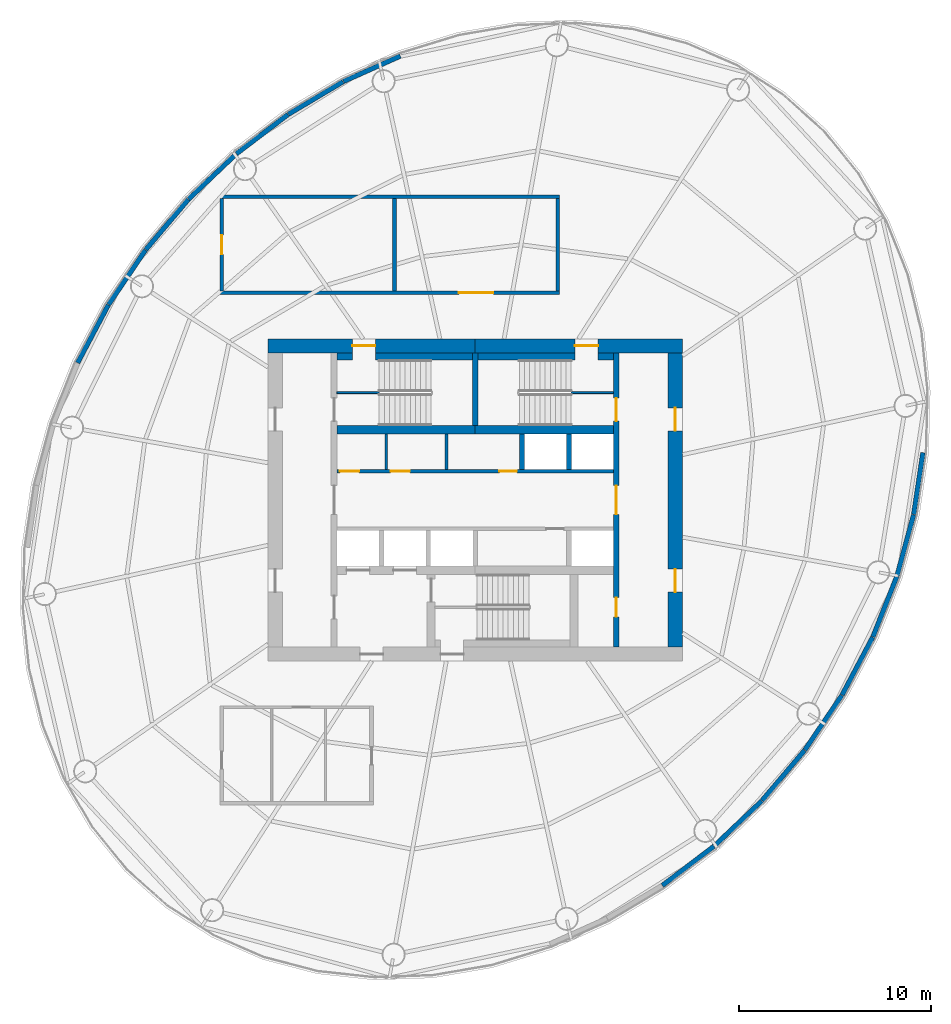
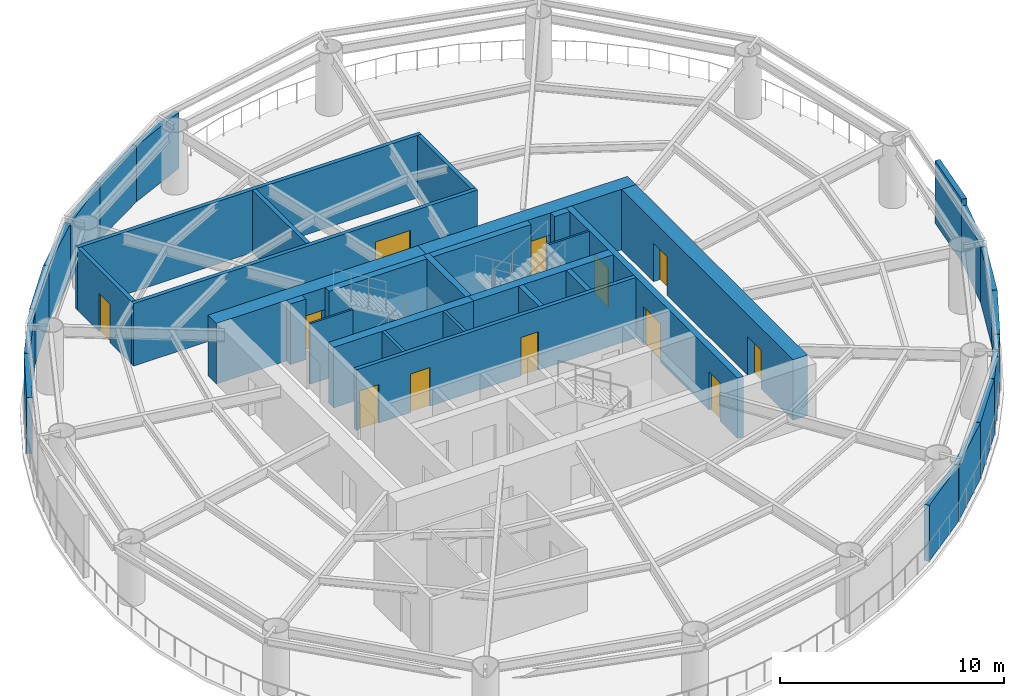
# One storey, part 4 of 8: 38 walls, 12 doors, 12 openings.
"""IFC4 building model written with IfcOpenShell, lengths in metres."""

from ifc_helpers import new_model, si_unit, direction, frame, frame_2d, origin, place, context, subcontext, project, spatial, rectangle, extrude, material, layer, layer_set, type_object, element, fill, save


model = new_model("IFC4")

# Units and contexts
model_context = context("Model", 3, precision=1e-05, world=origin(), true_north=direction((0.0, 1.0)))
body_context = subcontext(model_context, "Body", "Model", "MODEL_VIEW")
ifc_project = project(units=[si_unit("LENGTHUNIT", "METRE"), si_unit("AREAUNIT", "SQUARE_METRE"), si_unit("VOLUMEUNIT", "CUBIC_METRE"), si_unit("PLANEANGLEUNIT", "RADIAN"), si_unit("MASSUNIT", "GRAM", prefix="KILO")], contexts=[model_context])

# Site, building, storey
site_placement = place(None, origin())
site = spatial("IfcSite", under=ifc_project, at=site_placement, CompositionType="ELEMENT")
building_placement = place(site_placement, origin())
building = spatial("IfcBuilding", under=site, at=building_placement, Name="Vermilion Reach Broadcast Tower", CompositionType="ELEMENT")
storey_placement = place(building_placement, frame((0.0, 0.0, 242.5)))
storey = spatial("IfcBuildingStorey", under=building, at=storey_placement, Name="L60", CompositionType="ELEMENT", Elevation=242.5)

# Wall, openings, doors
ifc_material_1 = material(Name="Concrete C60", Category="concrete")
ifc_layer_1 = layer(ifc_material_1, 0.300048828125)
ifc_layer_set_1 = layer_set([ifc_layer_1], Name="Core inner wall 300 mm Concrete C60")
wall_type_1 = type_object("IfcWallType", Name="Core inner wall 300 mm Concrete C60", PredefinedType="SHEAR", material=ifc_layer_set_1)
wall_1_placement = place(storey_placement, frame((1.35009765625, -7.64990234375, 0.0), z_axis=(0.0, 0.0, 1.0), x_axis=(0.0, 1.0, 0.0)))
wall_1 = element("IfcWall", 1, at=wall_1_placement, inside=storey, type_object=wall_type_1, Name="L60 core wall ewE", PredefinedType="SHEAR", context=body_context, shape_type="SweptSolid", body=[
    extrude(rectangle(XDim=15.2998046875, YDim=0.300048828125, at=frame_2d((7.64990234375, 0.0))), origin(), (0.0, 0.0, 1.0), 3.300048828125),
])
opening_1_placement = place(wall_1_placement, frame((11.760009765625, 0.0, 0.0)))
opening_1 = element("IfcOpeningElement", 2, at=opening_1_placement, cuts=wall_1, Name="Opening D01", PredefinedType="OPENING", context=body_context, shape_type="SweptSolid", body=[
    extrude(rectangle(XDim=1.199951171875, YDim=2.10009765625, at=frame_2d((0.60009765625, 1.050048828125))), frame((0.0, 0.159912109375, 0.0), z_axis=(0.0, -1.0, 0.0), x_axis=(1.0, 0.0, 0.0)), (0.0, 0.0, 1.0), 0.320068359375),
])
opening_2_placement = place(wall_1_placement, frame((1.56005859375, 0.0, 0.0)))
opening_2 = element("IfcOpeningElement", 3, at=opening_2_placement, cuts=wall_1, Name="Opening D05", PredefinedType="OPENING", context=body_context, shape_type="SweptSolid", body=[
    extrude(rectangle(XDim=1.0, YDim=2.10009765625, at=frame_2d((0.5, 1.050048828125))), frame((0.0, 0.159912109375, 0.0), z_axis=(0.0, -1.0, 0.0), x_axis=(1.0, 0.0, 0.0)), (0.0, 0.0, 1.0), 0.320068359375),
])
opening_3_placement = place(wall_1_placement, frame((6.89990234375, 0.0, 0.0)))
opening_3 = element("IfcOpeningElement", 4, at=opening_3_placement, cuts=wall_1, Name="Opening D04", PredefinedType="OPENING", context=body_context, shape_type="SweptSolid", body=[
    extrude(rectangle(XDim=1.5, YDim=2.10009765625, at=frame_2d((0.75, 1.050048828125))), frame((0.0, 0.159912109375, 0.0), z_axis=(0.0, -1.0, 0.0), x_axis=(1.0, 0.0, 0.0)), (0.0, 0.0, 1.0), 0.320068359375),
])
ifc_material_2 = material(Name="Painted steel fire door", Category="steel")
door_type_1 = type_object("IfcDoorType", Name="Lift lobby door 1500 x 2100", OperationType="DOUBLE_DOOR_SINGLE_SWING", PredefinedType="NOTDEFINED", material=ifc_material_2)
door_1_placement = place(opening_3_placement, origin())
door_1 = element("IfcDoor", 5, at=door_1_placement, inside=storey, type_object=door_type_1, Name="L60 band door BE", OperationType="DOUBLE_DOOR_SINGLE_SWING", OverallHeight=2.10009765625, OverallWidth=1.5, PredefinedType="NOTDEFINED", context=body_context, shape_type="SweptSolid", body=[
    extrude(rectangle(XDim=1.5, YDim=2.10009765625, at=frame_2d((0.75, 1.050048828125))), frame((0.0, 0.02490234375, 0.0), z_axis=(0.0, -1.0, 0.0), x_axis=(1.0, 0.0, 0.0)), (0.0, 0.0, 1.0), 0.050048828125),
])
fill(opening_3, door_1)
ifc_material_3 = material(Name="Timber door", Category="wood")
door_type_2 = type_object("IfcDoorType", Name="Room door 1000 x 2100", OperationType="NOTDEFINED", PredefinedType="NOTDEFINED", material=ifc_material_3)
door_2_placement = place(opening_2_placement, origin())
door_2 = element("IfcDoor", 6, at=door_2_placement, inside=storey, type_object=door_type_2, Name="L60 door SER", OperationType="SINGLE_SWING_LEFT", OverallHeight=2.10009765625, OverallWidth=1.0, PredefinedType="NOTDEFINED", context=body_context, shape_type="SweptSolid", body=[
    extrude(rectangle(XDim=1.0, YDim=2.10009765625, at=frame_2d((0.5, 1.050048828125))), frame((0.0, 0.02490234375, 0.0), z_axis=(0.0, -1.0, 0.0), x_axis=(1.0, 0.0, 0.0)), (0.0, 0.0, 1.0), 0.050048828125),
])
fill(opening_2, door_2)
ifc_material_4 = material(Name="Painted steel fire door", Category="steel")
door_type_3 = type_object("IfcDoorType", Name="Stair door 1200 x 2100", OperationType="DOUBLE_DOOR_SINGLE_SWING", PredefinedType="NOTDEFINED", material=ifc_material_4)
door_3_placement = place(opening_1_placement, origin())
door_3 = element("IfcDoor", 7, at=door_3_placement, inside=storey, type_object=door_type_3, Name="L60 stair door ST2 arrival", OperationType="DOUBLE_DOOR_SINGLE_SWING", OverallHeight=2.10009765625, OverallWidth=1.199951171875, PredefinedType="NOTDEFINED", context=body_context, shape_type="SweptSolid", body=[
    extrude(rectangle(XDim=1.199951171875, YDim=2.10009765625, at=frame_2d((0.60009765625, 1.050048828125))), frame((0.0, 0.02490234375, 0.0), z_axis=(0.0, -1.0, 0.0), x_axis=(1.0, 0.0, 0.0)), (0.0, 0.0, 1.0), 0.050048828125),
])
fill(opening_1, door_3)

# Walls
wall_2_placement = place(storey_placement, frame((-6.0, 3.8798828125, 0.0), z_axis=(0.0, 0.0, 1.0), x_axis=(0.0, 1.0, 0.0)))
element("IfcWall", 8, at=wall_2_placement, inside=storey, type_object=wall_type_1, Name="L60 core wall wc", PredefinedType="SHEAR", context=body_context, shape_type="SweptSolid", body=[
    extrude(rectangle(XDim=3.77001953125, YDim=0.300048828125, at=frame_2d((1.885009765625, 0.0))), origin(), (0.0, 0.0, 1.0), 3.300048828125),
])
ifc_material_5 = material(Name="Concrete C60", Category="concrete")
ifc_layer_2 = layer(ifc_material_5, 0.449951171875)
ifc_layer_set_2 = layer_set([ifc_layer_2], Name="Core inner wall 450 mm Concrete C60")
wall_type_2 = type_object("IfcWallType", Name="Core inner wall 450 mm Concrete C60", PredefinedType="SHEAR", material=ifc_layer_set_2)
for number, where, z_axis, x_axis, name in (
    (9, (-13.199951171875, 3.655029296875, 0.0), (0.0, 0.0, 1.0), (1.0, 0.0, 0.0), "L60 core wall winW"),
    (10, (-6.0, 3.655029296875, 0.0), (0.0, 0.0, 1.0), (1.0, 0.0, 0.0), "L60 core wall winE"),
):
    element("IfcWall", number, at=place(storey_placement, frame(where, z_axis=z_axis, x_axis=x_axis)), inside=storey, type_object=wall_type_2, Name=name, PredefinedType="SHEAR", context=body_context, shape_type="SweptSolid", body=[
        extrude(rectangle(XDim=7.199951171875, YDim=0.449951171875, at=frame_2d((3.60009765625, 0.0))), origin(), (0.0, 0.0, 1.0), 3.300048828125),
    ])

# Wall, opening, door
ifc_material_6 = material(Name="Concrete C60", Category="concrete")
ifc_layer_3 = layer(ifc_material_6, 0.75)
ifc_layer_set_3 = layer_set([ifc_layer_3], Name="Core outer wall 750 mm Concrete C60")
wall_type_3 = type_object("IfcWallType", Name="Core outer wall 750 mm Concrete C60", PredefinedType="SHEAR", material=ifc_layer_set_3)
wall_3_placement = place(storey_placement, frame((4.800048828125, 8.02490234375, 0.0), z_axis=(0.0, 0.0, 1.0), x_axis=(-1.0, 0.0, 0.0)))
wall_3 = element("IfcWall", 11, at=wall_3_placement, inside=storey, type_object=wall_type_3, Name="L60 core wall onE", PredefinedType="SHEAR", context=body_context, shape_type="SweptSolid", body=[
    extrude(rectangle(XDim=10.800048828125, YDim=0.75, at=frame_2d((5.39990234375, 0.0))), origin(), (0.0, 0.0, 1.0), 3.300048828125),
])
opening_4_placement = place(wall_3_placement, frame((4.39990234375, 0.0, 0.0)))
opening_4 = element("IfcOpeningElement", 12, at=opening_4_placement, cuts=wall_3, Name="Opening D01", PredefinedType="OPENING", context=body_context, shape_type="SweptSolid", body=[
    extrude(rectangle(XDim=1.199951171875, YDim=2.10009765625, at=frame_2d((0.60009765625, 1.050048828125))), frame((0.0, 0.385009765625, 0.0), z_axis=(0.0, -1.0, 0.0), x_axis=(1.0, 0.0, 0.0)), (0.0, 0.0, 1.0), 0.77001953125),
])
door_4_placement = place(opening_4_placement, origin())
door_4 = element("IfcDoor", 13, at=door_4_placement, inside=storey, type_object=door_type_3, Name="L60 stair door ST2 departure", OperationType="DOUBLE_DOOR_SINGLE_SWING", OverallHeight=2.10009765625, OverallWidth=1.199951171875, PredefinedType="NOTDEFINED", context=body_context, shape_type="SweptSolid", body=[
    extrude(rectangle(XDim=1.199951171875, YDim=2.10009765625, at=frame_2d((0.60009765625, 1.050048828125))), frame((0.0, 0.02490234375, 0.0), z_axis=(0.0, -1.0, 0.0), x_axis=(1.0, 0.0, 0.0)), (0.0, 0.0, 1.0), 0.050048828125),
])
fill(opening_4, door_4)

wall_4_placement = place(storey_placement, frame((-6.0, 8.02490234375, 0.0), z_axis=(0.0, 0.0, 1.0), x_axis=(-1.0, 0.0, 0.0)))
wall_4 = element("IfcWall", 14, at=wall_4_placement, inside=storey, type_object=wall_type_3, Name="L60 core wall onW", PredefinedType="SHEAR", context=body_context, shape_type="SweptSolid", body=[
    extrude(rectangle(XDim=10.800048828125, YDim=0.75, at=frame_2d((5.39990234375, 0.0))), origin(), (0.0, 0.0, 1.0), 3.300048828125),
])
opening_5_placement = place(wall_4_placement, frame((5.199951171875, 0.0, 0.0)))
opening_5 = element("IfcOpeningElement", 15, at=opening_5_placement, cuts=wall_4, Name="Opening D01", PredefinedType="OPENING", context=body_context, shape_type="SweptSolid", body=[
    extrude(rectangle(XDim=1.199951171875, YDim=2.10009765625, at=frame_2d((0.60009765625, 1.050048828125))), frame((0.0, 0.385009765625, 0.0), z_axis=(0.0, -1.0, 0.0), x_axis=(1.0, 0.0, 0.0)), (0.0, 0.0, 1.0), 0.77001953125),
])
door_5_placement = place(opening_5_placement, origin())
door_5 = element("IfcDoor", 16, at=door_5_placement, inside=storey, type_object=door_type_3, Name="L60 stair door ST1 arrival", OperationType="DOUBLE_DOOR_SINGLE_SWING", OverallHeight=2.10009765625, OverallWidth=1.199951171875, PredefinedType="NOTDEFINED", context=body_context, shape_type="SweptSolid", body=[
    extrude(rectangle(XDim=1.199951171875, YDim=2.10009765625, at=frame_2d((0.60009765625, 1.050048828125))), frame((0.0, 0.02490234375, 0.0), z_axis=(0.0, -1.0, 0.0), x_axis=(1.0, 0.0, 0.0)), (0.0, 0.0, 1.0), 0.050048828125),
])
fill(opening_5, door_5)

# Wall, openings, doors
wall_5_placement = place(storey_placement, frame((4.425048828125, -7.64990234375, 0.0), z_axis=(0.0, 0.0, 1.0), x_axis=(0.0, 1.0, 0.0)))
wall_5 = element("IfcWall", 17, at=wall_5_placement, inside=storey, type_object=wall_type_3, Name="L60 core wall oe", PredefinedType="SHEAR", context=body_context, shape_type="SweptSolid", body=[
    extrude(rectangle(XDim=15.2998046875, YDim=0.75, at=frame_2d((7.64990234375, 0.0))), origin(), (0.0, 0.0, 1.0), 3.300048828125),
])
opening_6_placement = place(wall_5_placement, frame((2.85009765625, 0.0, 0.0)))
opening_6 = element("IfcOpeningElement", 18, at=opening_6_placement, cuts=wall_5, Name="Opening D03", PredefinedType="OPENING", context=body_context, shape_type="SweptSolid", body=[
    extrude(rectangle(XDim=1.199951171875, YDim=2.10009765625, at=frame_2d((0.60009765625, 1.050048828125))), frame((0.0, 0.385009765625, 0.0), z_axis=(0.0, -1.0, 0.0), x_axis=(1.0, 0.0, 0.0)), (0.0, 0.0, 1.0), 0.77001953125),
])
opening_7_placement = place(wall_5_placement, frame((11.25, 0.0, 0.0)))
opening_7 = element("IfcOpeningElement", 19, at=opening_7_placement, cuts=wall_5, Name="Opening D03", PredefinedType="OPENING", context=body_context, shape_type="SweptSolid", body=[
    extrude(rectangle(XDim=1.199951171875, YDim=2.10009765625, at=frame_2d((0.60009765625, 1.050048828125))), frame((0.0, 0.385009765625, 0.0), z_axis=(0.0, -1.0, 0.0), x_axis=(1.0, 0.0, 0.0)), (0.0, 0.0, 1.0), 0.77001953125),
])
ifc_material_7 = material(Name="Painted steel fire door", Category="steel")
door_type_4 = type_object("IfcDoorType", Name="Core lobby door 1200 x 2100", OperationType="DOUBLE_DOOR_SINGLE_SWING", PredefinedType="NOTDEFINED", material=ifc_material_7)
door_6_placement = place(opening_6_placement, origin())
door_6 = element("IfcDoor", 20, at=door_6_placement, inside=storey, type_object=door_type_4, Name="L60 slot door E0", OperationType="DOUBLE_DOOR_SINGLE_SWING", OverallHeight=2.10009765625, OverallWidth=1.199951171875, PredefinedType="NOTDEFINED", context=body_context, shape_type="SweptSolid", body=[
    extrude(rectangle(XDim=1.199951171875, YDim=2.10009765625, at=frame_2d((0.60009765625, 1.050048828125))), frame((0.0, 0.02490234375, 0.0), z_axis=(0.0, -1.0, 0.0), x_axis=(1.0, 0.0, 0.0)), (0.0, 0.0, 1.0), 0.050048828125),
])
fill(opening_6, door_6)
door_7_placement = place(opening_7_placement, origin())
door_7 = element("IfcDoor", 21, at=door_7_placement, inside=storey, type_object=door_type_4, Name="L60 slot door E1", OperationType="DOUBLE_DOOR_SINGLE_SWING", OverallHeight=2.10009765625, OverallWidth=1.199951171875, PredefinedType="NOTDEFINED", context=body_context, shape_type="SweptSolid", body=[
    extrude(rectangle(XDim=1.199951171875, YDim=2.10009765625, at=frame_2d((0.60009765625, 1.050048828125))), frame((0.0, 0.02490234375, 0.0), z_axis=(0.0, -1.0, 0.0), x_axis=(1.0, 0.0, 0.0)), (0.0, 0.0, 1.0), 0.050048828125),
])
fill(opening_7, door_7)

# Walls
ifc_material_8 = material(Name="Masonry block", Category="masonry")
ifc_layer_4 = layer(ifc_material_8, 0.14990234375)
ifc_layer_set_4 = layer_set([ifc_layer_4], Name="Core partition wall 150 mm Masonry block")
wall_type_4 = type_object("IfcWallType", Name="Core partition wall 150 mm Masonry block", PredefinedType="PARTITIONING", material=ifc_layer_set_4)
for number, where, z_axis, x_axis, name in (
    (22, (-10.630615234375, 1.60009765625, 0.0), (0.0, 0.0, 1.0), (0.0, 1.0, 0.0), "L60 core wall prN-4630"),
    (23, (-7.489990234375, 1.60009765625, 0.0), (0.0, 0.0, 1.0), (0.0, 1.0, 0.0), "L60 core wall prN-1490"),
):
    element("IfcWall", number, at=place(storey_placement, frame(where, z_axis=z_axis, x_axis=x_axis)), inside=storey, type_object=wall_type_4, Name=name, PredefinedType="PARTITIONING", context=body_context, shape_type="SweptSolid", body=[
        extrude(rectangle(XDim=1.829833984375, YDim=0.14990234375, at=frame_2d((0.9150390625, 0.0))), origin(), (0.0, 0.0, 1.0), 3.300048828125),
    ])

# Wall, openings, doors
ifc_material_9 = material(Name="Concrete C50", Category="concrete")
ifc_layer_5 = layer(ifc_material_9, 0.199951171875)
ifc_layer_set_5 = layer_set([ifc_layer_5], Name="Core shaft wall 200 mm Concrete C50")
wall_type_5 = type_object("IfcWallType", Name="Core shaft wall 200 mm Concrete C50", PredefinedType="SHEAR", material=ifc_layer_set_5)
wall_6_placement = place(storey_placement, frame((-13.199951171875, 1.5, 0.0), z_axis=(0.0, 0.0, 1.0), x_axis=(1.0, 0.0, 0.0)))
wall_6 = element("IfcWall", 24, at=wall_6_placement, inside=storey, type_object=wall_type_5, Name="L60 core wall fn", PredefinedType="SHEAR", context=body_context, shape_type="SweptSolid", body=[
    extrude(rectangle(XDim=14.39990234375, YDim=0.199951171875, at=frame_2d((7.199951171875, 0.0))), origin(), (0.0, 0.0, 1.0), 3.300048828125),
])
opening_8_placement = place(wall_6_placement, frame((0.14990234375, 0.0, 0.0)))
opening_8 = element("IfcOpeningElement", 25, at=opening_8_placement, cuts=wall_6, Name="Opening D10", PredefinedType="OPENING", context=body_context, shape_type="SweptSolid", body=[
    extrude(rectangle(XDim=1.0, YDim=2.10009765625, at=frame_2d((0.5, 1.050048828125))), frame((0.0, 0.10986328125, 0.0), z_axis=(0.0, -1.0, 0.0), x_axis=(1.0, 0.0, 0.0)), (0.0, 0.0, 1.0), 0.219970703125),
])
opening_9_placement = place(wall_6_placement, frame((2.79443359375, 0.0, 0.0)))
opening_9 = element("IfcOpeningElement", 26, at=opening_9_placement, cuts=wall_6, Name="Opening D07", PredefinedType="OPENING", context=body_context, shape_type="SweptSolid", body=[
    extrude(rectangle(XDim=1.0, YDim=2.10009765625, at=frame_2d((0.5, 1.050048828125))), frame((0.0, 0.10986328125, 0.0), z_axis=(0.0, -1.0, 0.0), x_axis=(1.0, 0.0, 0.0)), (0.0, 0.0, 1.0), 0.219970703125),
])
opening_10_placement = place(wall_6_placement, frame((8.466552734375, 0.0, 0.0)))
opening_10 = element("IfcOpeningElement", 27, at=opening_10_placement, cuts=wall_6, Name="Opening D06", PredefinedType="OPENING", context=body_context, shape_type="SweptSolid", body=[
    extrude(rectangle(XDim=0.89990234375, YDim=2.10009765625, at=frame_2d((0.449951171875, 1.050048828125))), frame((0.0, 0.10986328125, 0.0), z_axis=(0.0, -1.0, 0.0), x_axis=(1.0, 0.0, 0.0)), (0.0, 0.0, 1.0), 0.219970703125),
])
ifc_material_10 = material(Name="Timber door", Category="wood")
door_type_5 = type_object("IfcDoorType", Name="Accessible WC door 1000 x 2100", OperationType="NOTDEFINED", PredefinedType="NOTDEFINED", material=ifc_material_10)
door_8_placement = place(opening_9_placement, origin())
door_8 = element("IfcDoor", 28, at=door_8_placement, inside=storey, type_object=door_type_5, Name="L60 door Accessible WC", OperationType="SINGLE_SWING_LEFT", OverallHeight=2.10009765625, OverallWidth=1.0, PredefinedType="NOTDEFINED", context=body_context, shape_type="SweptSolid", body=[
    extrude(rectangle(XDim=1.0, YDim=2.10009765625, at=frame_2d((0.5, 1.050048828125))), frame((0.0, 0.02490234375, 0.0), z_axis=(0.0, -1.0, 0.0), x_axis=(1.0, 0.0, 0.0)), (0.0, 0.0, 1.0), 0.050048828125),
])
fill(opening_9, door_8)
ifc_material_11 = material(Name="Timber door", Category="wood")
door_type_6 = type_object("IfcDoorType", Name="WC door 900 x 2100", OperationType="NOTDEFINED", PredefinedType="NOTDEFINED", material=ifc_material_11)
door_9_placement = place(opening_10_placement, origin())
door_9 = element("IfcDoor", 29, at=door_9_placement, inside=storey, type_object=door_type_6, Name="L60 door Male WC", OperationType="SINGLE_SWING_RIGHT", OverallHeight=2.10009765625, OverallWidth=0.89990234375, PredefinedType="NOTDEFINED", context=body_context, shape_type="SweptSolid", body=[
    extrude(rectangle(XDim=0.89990234375, YDim=2.10009765625, at=frame_2d((0.449951171875, 1.050048828125))), frame((0.0, 0.02490234375, 0.0), z_axis=(0.0, -1.0, 0.0), x_axis=(1.0, 0.0, 0.0)), (0.0, 0.0, 1.0), 0.050048828125),
])
fill(opening_10, door_9)
ifc_material_12 = material(Name="Timber door", Category="wood")
door_type_7 = type_object("IfcDoorType", Name="WC lobby door 1000 x 2100", OperationType="NOTDEFINED", PredefinedType="NOTDEFINED", material=ifc_material_12)
door_10_placement = place(opening_8_placement, origin())
door_10 = element("IfcDoor", 30, at=door_10_placement, inside=storey, type_object=door_type_7, Name="L60 door Refuge WC lobby", OperationType="SINGLE_SWING_LEFT", OverallHeight=2.10009765625, OverallWidth=1.0, PredefinedType="NOTDEFINED", context=body_context, shape_type="SweptSolid", body=[
    extrude(rectangle(XDim=1.0, YDim=2.10009765625, at=frame_2d((0.5, 1.050048828125))), frame((0.0, 0.02490234375, 0.0), z_axis=(0.0, -1.0, 0.0), x_axis=(1.0, 0.0, 0.0)), (0.0, 0.0, 1.0), 0.050048828125),
])
fill(opening_8, door_10)

# Walls
ifc_material_13 = material(Name="Concrete C50", Category="concrete")
ifc_layer_6 = layer(ifc_material_13, 0.25)
ifc_layer_set_6 = layer_set([ifc_layer_6], Name="Core shaft wall 250 mm Concrete C50")
wall_type_6 = type_object("IfcWallType", Name="Core shaft wall 250 mm Concrete C50", PredefinedType="SHEAR", material=ifc_layer_set_6)
for number, where, z_axis, x_axis, name in (
    (31, (-3.558349609375, 1.60009765625, 0.0), (0.0, 0.0, 1.0), (0.0, 1.0, 0.0), "L60 core wall psN3"),
    (32, (-1.11669921875, 1.60009765625, 0.0), (0.0, 0.0, 1.0), (0.0, 1.0, 0.0), "L60 core wall psN4"),
):
    element("IfcWall", number, at=place(storey_placement, frame(where, z_axis=z_axis, x_axis=x_axis)), inside=storey, type_object=wall_type_6, Name=name, PredefinedType="SHEAR", context=body_context, shape_type="SweptSolid", body=[
        extrude(rectangle(XDim=1.829833984375, YDim=0.25, at=frame_2d((0.9150390625, 0.0))), origin(), (0.0, 0.0, 1.0), 3.300048828125),
    ])
ifc_material_14 = material(Name="Concrete C60", Category="concrete")
ifc_layer_7 = layer(ifc_material_14, 0.10009765625)
ifc_layer_set_7 = layer_set([ifc_layer_7], Name="Core stair wall 100 mm Concrete C60")
wall_type_7 = type_object("IfcWallType", Name="Core stair wall 100 mm Concrete C60", PredefinedType="SHEAR", material=ifc_layer_set_7)
for number, where, z_axis, x_axis, name in (
    (33, (-13.199951171875, 5.590087890625, 0.0), (0.0, 0.0, 1.0), (1.0, 0.0, 0.0), "L60 core wall dv1"),
    (34, (1.199951171875, 5.590087890625, 0.0), (0.0, 0.0, 1.0), (-1.0, 0.0, 0.0), "L60 core wall dv2"),
):
    element("IfcWall", number, at=place(storey_placement, frame(where, z_axis=z_axis, x_axis=x_axis)), inside=storey, type_object=wall_type_7, Name=name, PredefinedType="SHEAR", context=body_context, shape_type="SweptSolid", body=[
        extrude(rectangle(XDim=2.199951171875, YDim=0.10009765625, at=frame_2d((1.10009765625, 0.0))), origin(), (0.0, 0.0, 1.0), 3.300048828125),
    ])
ifc_material_15 = material(Name="Concrete C60", Category="concrete")
ifc_layer_8 = layer(ifc_material_15, 0.35009765625)
ifc_layer_set_8 = layer_set([ifc_layer_8], Name="Core stair wall 350 mm Concrete C60")
wall_type_8 = type_object("IfcWallType", Name="Core stair wall 350 mm Concrete C60", PredefinedType="SHEAR", material=ifc_layer_set_8)
wall_7_placement = place(storey_placement, frame((-13.199951171875, 7.47509765625, 0.0), z_axis=(0.0, 0.0, 1.0), x_axis=(1.0, 0.0, 0.0)))
element("IfcWall", 35, at=wall_7_placement, inside=storey, type_object=wall_type_8, Name="L60 core wall l1a", PredefinedType="SHEAR", context=body_context, shape_type="SweptSolid", body=[
    extrude(rectangle(XDim=0.800048828125, YDim=0.35009765625, at=frame_2d((0.39990234375, 0.0))), origin(), (0.0, 0.0, 1.0), 3.300048828125),
])
for number, where, z_axis, x_axis, name in (
    (36, (-11.199951171875, 7.47509765625, 0.0), (0.0, 0.0, 1.0), (1.0, 0.0, 0.0), "L60 core wall l1b"),
    (37, (-5.85009765625, 7.47509765625, 0.0), (0.0, 0.0, 1.0), (1.0, 0.0, 0.0), "L60 core wall l2a"),
):
    element("IfcWall", number, at=place(storey_placement, frame(where, z_axis=z_axis, x_axis=x_axis)), inside=storey, type_object=wall_type_8, Name=name, PredefinedType="SHEAR", context=body_context, shape_type="SweptSolid", body=[
        extrude(rectangle(XDim=5.050048828125, YDim=0.35009765625, at=frame_2d((2.52490234375, 0.0))), origin(), (0.0, 0.0, 1.0), 3.300048828125),
    ])
wall_8_placement = place(storey_placement, frame((0.39990234375, 7.47509765625, 0.0), z_axis=(0.0, 0.0, 1.0), x_axis=(1.0, 0.0, 0.0)))
element("IfcWall", 38, at=wall_8_placement, inside=storey, type_object=wall_type_8, Name="L60 core wall l2b", PredefinedType="SHEAR", context=body_context, shape_type="SweptSolid", body=[
    extrude(rectangle(XDim=0.800048828125, YDim=0.35009765625, at=frame_2d((0.39990234375, 0.0))), origin(), (0.0, 0.0, 1.0), 3.300048828125),
])
ifc_material_16 = material(Name="Anodised aluminium louvre cladding", Category="aluminium")
ifc_layer_9 = layer(ifc_material_16, 0.25)
ifc_layer_set_9 = layer_set([ifc_layer_9], Name="Plant louvre wall 250")
wall_type_9 = type_object("IfcWallType", Name="Plant louvre wall 250", PredefinedType="SOLIDWALL", material=ifc_layer_set_9)
wall_9_placement = place(storey_placement, frame((16.849609375, -0.74853515625, 0.0), z_axis=(0.0, 0.0, 1.0), x_axis=(0.147814951337, 0.989015035357, 0.0)))
element("IfcWall", 39, at=wall_9_placement, inside=storey, type_object=wall_type_9, Name="Refuge louvre wall L60 40", PredefinedType="SOLIDWALL", context=body_context, shape_type="SweptSolid", body=[
    extrude(rectangle(XDim=3.248779296875, YDim=0.25, at=frame_2d((1.62451171875, 0.0))), origin(), (0.0, 0.0, 1.0), 3.39990234375),
])
ifc_material_17 = material(Name="Anodised aluminium louvre cladding", Category="aluminium")
ifc_layer_10 = layer(ifc_material_17, 0.25)
ifc_layer_set_10 = layer_set([ifc_layer_10], Name="Plant louvre wall 250, head 350 below soffit")
wall_type_10 = type_object("IfcWallType", Name="Plant louvre wall 250, head 350 below soffit", PredefinedType="SOLIDWALL", material=ifc_layer_set_10)
wall_10_placement = place(storey_placement, frame((-9.89990234375, 23.133056640625, 0.0), z_axis=(0.0, 0.0, 1.0), x_axis=(-0.912863949032, -0.40826389818, 0.0)))
element("IfcWall", 40, at=wall_10_placement, inside=storey, type_object=wall_type_10, Name="Refuge louvre wall L60 07", PredefinedType="SOLIDWALL", context=body_context, shape_type="SweptSolid", body=[
    extrude(rectangle(XDim=3.2490234375, YDim=0.25, at=frame_2d((1.62451171875, 0.0))), origin(), (0.0, 0.0, 1.0), 3.050048828125),
])
wall_11_placement = place(storey_placement, frame((-12.8857421875, 21.796142578125, 0.0), z_axis=(0.0, 0.0, 1.0), x_axis=(-0.858982444498, -0.51200503908, 0.0)))
element("IfcWall", 41, at=wall_11_placement, inside=storey, type_object=wall_type_10, Name="Refuge louvre wall L60 08", PredefinedType="SOLIDWALL", context=body_context, shape_type="SweptSolid", body=[
    extrude(rectangle(XDim=3.318359375, YDim=0.25, at=frame_2d((1.6591796875, 0.0))), origin(), (0.0, 0.0, 1.0), 3.050048828125),
])
wall_12_placement = place(storey_placement, frame((-15.75439453125, 20.0849609375, 0.0), z_axis=(0.0, 0.0, 1.0), x_axis=(-0.795944646333, -0.60536940786, 0.0)))
element("IfcWall", 42, at=wall_12_placement, inside=storey, type_object=wall_type_10, Name="Refuge louvre wall L60 09", PredefinedType="SOLIDWALL", context=body_context, shape_type="SweptSolid", body=[
    extrude(rectangle(XDim=3.374267578125, YDim=0.25, at=frame_2d((1.68701171875, 0.0))), origin(), (0.0, 0.0, 1.0), 3.050048828125),
])
wall_13_placement = place(storey_placement, frame((-18.45654296875, 18.028076171875, 0.0), z_axis=(0.0, 0.0, 1.0), x_axis=(-0.72490298549, -0.688850972002, 0.0)))
element("IfcWall", 43, at=wall_13_placement, inside=storey, type_object=wall_type_10, Name="Refuge louvre wall L60 10", PredefinedType="SOLIDWALL", context=body_context, shape_type="SweptSolid", body=[
    extrude(rectangle(XDim=3.4130859375, YDim=0.25, at=frame_2d((1.70654296875, 0.0))), origin(), (0.0, 0.0, 1.0), 3.050048828125),
])
for number, where, z_axis, x_axis, name in (
    (44, (-20.9453125, 15.661376953125, 0.0), (0.0, 0.0, 1.0), (-0.646423479191, -0.762978823789, 0.0), "Refuge louvre wall L60 11"),
    (45, (-23.177490234375, 13.025146484375, 0.0), (0.0, 0.0, 1.0), (-0.561002228269, -0.827814290694, 0.0), "Refuge louvre wall L60 12"),
):
    element("IfcWall", number, at=place(storey_placement, frame(where, z_axis=z_axis, x_axis=x_axis)), inside=storey, type_object=wall_type_10, Name=name, PredefinedType="SOLIDWALL", context=body_context, shape_type="SweptSolid", body=[
        extrude(rectangle(XDim=3.43310546875, YDim=0.25, at=frame_2d((1.716552734375, 0.0))), origin(), (0.0, 0.0, 1.0), 3.050048828125),
    ])
wall_14_placement = place(storey_placement, frame((-25.114501953125, 10.164794921875, 0.0), z_axis=(0.0, 0.0, 1.0), x_axis=(-0.468600753264, -0.883410059961, 0.0)))
element("IfcWall", 46, at=wall_14_placement, inside=storey, type_object=wall_type_10, Name="Refuge louvre wall L60 13", PredefinedType="SOLIDWALL", context=body_context, shape_type="SweptSolid", body=[
    extrude(rectangle(XDim=3.4130859375, YDim=0.25, at=frame_2d((1.70654296875, 0.0))), origin(), (0.0, 0.0, 1.0), 3.050048828125),
])
wall_15_placement = place(storey_placement, frame((3.75439453125, -20.0849609375, 0.0), z_axis=(0.0, 0.0, 1.0), x_axis=(0.795944646333, 0.60536940786, 0.0)))
element("IfcWall", 47, at=wall_15_placement, inside=storey, type_object=wall_type_10, Name="Refuge louvre wall L60 33", PredefinedType="SOLIDWALL", context=body_context, shape_type="SweptSolid", body=[
    extrude(rectangle(XDim=3.374267578125, YDim=0.25, at=frame_2d((1.68701171875, 0.0))), origin(), (0.0, 0.0, 1.0), 3.050048828125),
])
wall_16_placement = place(storey_placement, frame((6.45654296875, -18.028076171875, 0.0), z_axis=(0.0, 0.0, 1.0), x_axis=(0.72490298549, 0.688850972002, 0.0)))
element("IfcWall", 48, at=wall_16_placement, inside=storey, type_object=wall_type_10, Name="Refuge louvre wall L60 34", PredefinedType="SOLIDWALL", context=body_context, shape_type="SweptSolid", body=[
    extrude(rectangle(XDim=3.4130859375, YDim=0.25, at=frame_2d((1.70654296875, 0.0))), origin(), (0.0, 0.0, 1.0), 3.050048828125),
])
for number, where, z_axis, x_axis, name in (
    (49, (8.9453125, -15.661376953125, 0.0), (0.0, 0.0, 1.0), (0.646423479191, 0.762978823789, 0.0), "Refuge louvre wall L60 35"),
    (50, (11.177490234375, -13.025146484375, 0.0), (0.0, 0.0, 1.0), (0.561002228269, 0.827814290694, 0.0), "Refuge louvre wall L60 36"),
):
    element("IfcWall", number, at=place(storey_placement, frame(where, z_axis=z_axis, x_axis=x_axis)), inside=storey, type_object=wall_type_10, Name=name, PredefinedType="SOLIDWALL", context=body_context, shape_type="SweptSolid", body=[
        extrude(rectangle(XDim=3.43310546875, YDim=0.25, at=frame_2d((1.716552734375, 0.0))), origin(), (0.0, 0.0, 1.0), 3.050048828125),
    ])
wall_17_placement = place(storey_placement, frame((13.114501953125, -10.164794921875, 0.0), z_axis=(0.0, 0.0, 1.0), x_axis=(0.468600753264, 0.883410059961, 0.0)))
element("IfcWall", 51, at=wall_17_placement, inside=storey, type_object=wall_type_10, Name="Refuge louvre wall L60 37", PredefinedType="SOLIDWALL", context=body_context, shape_type="SweptSolid", body=[
    extrude(rectangle(XDim=3.4130859375, YDim=0.25, at=frame_2d((1.70654296875, 0.0))), origin(), (0.0, 0.0, 1.0), 3.050048828125),
])
wall_18_placement = place(storey_placement, frame((14.722900390625, -7.1298828125, 0.0), z_axis=(0.0, 0.0, 1.0), x_axis=(0.369081661505, 0.929396969621, 0.0)))
element("IfcWall", 52, at=wall_18_placement, inside=storey, type_object=wall_type_10, Name="Refuge louvre wall L60 38", PredefinedType="SOLIDWALL", context=body_context, shape_type="SweptSolid", body=[
    extrude(rectangle(XDim=3.374267578125, YDim=0.25, at=frame_2d((1.68701171875, 0.0))), origin(), (0.0, 0.0, 1.0), 3.050048828125),
])
wall_19_placement = place(storey_placement, frame((15.97509765625, -3.972900390625, 0.0), z_axis=(0.0, 0.0, 1.0), x_axis=(0.262133680593, 0.965031571244, 0.0)))
element("IfcWall", 53, at=wall_19_placement, inside=storey, type_object=wall_type_10, Name="Refuge louvre wall L60 39", PredefinedType="SOLIDWALL", context=body_context, shape_type="SweptSolid", body=[
    extrude(rectangle(XDim=3.318359375, YDim=0.25, at=frame_2d((1.6591796875, 0.0))), origin(), (0.0, 0.0, 1.0), 3.050048828125),
])

# Wall, opening, door
ifc_material_18 = material(Name="Gypsum board shaft wall")
ifc_layer_11 = layer(ifc_material_18, 0.199951171875)
ifc_layer_set_11 = layer_set([ifc_layer_11], Name="Plant room wall 200")
wall_type_11 = type_object("IfcWallType", Name="Plant room wall 200", PredefinedType="PARTITIONING", material=ifc_layer_set_11)
wall_20_placement = place(storey_placement, frame((-1.599853515625, 10.800048828125, 0.0), z_axis=(0.0, 0.0, 1.0), x_axis=(-1.0, 0.0, 0.0)))
wall_20 = element("IfcWall", 54, at=wall_20_placement, inside=storey, type_object=wall_type_11, Name="sp.wall.L60.000", PredefinedType="PARTITIONING", context=body_context, shape_type="SweptSolid", body=[
    extrude(rectangle(XDim=17.7001953125, YDim=0.199951171875, at=frame_2d((8.85009765625, 0.0))), origin(), (0.0, 0.0, 1.0), 3.39990234375),
])
opening_11_placement = place(wall_20_placement, frame((3.4501953125, 0.0, 0.0)))
opening_11 = element("IfcOpeningElement", 55, at=opening_11_placement, cuts=wall_20, Name="Opening D53", PredefinedType="OPENING", context=body_context, shape_type="SweptSolid", body=[
    extrude(rectangle(XDim=1.800048828125, YDim=2.39990234375, at=frame_2d((0.89990234375, 1.199951171875))), frame((0.0, 0.10986328125, 0.0), z_axis=(0.0, -1.0, 0.0), x_axis=(1.0, 0.0, 0.0)), (0.0, 0.0, 1.0), 0.219970703125),
])
ifc_material_19 = material(Name="Timber and steel door set", Category="steel")
door_type_8 = type_object("IfcDoorType", Name="Plant double door 1800x2400", OperationType="NOTDEFINED", PredefinedType="DOOR", material=ifc_material_19)
door_11_placement = place(opening_11_placement, origin())
door_11 = element("IfcDoor", 56, at=door_11_placement, inside=storey, type_object=door_type_8, Name="sp.door.L60.001", OperationType="DOUBLE_DOOR_SINGLE_SWING", OverallHeight=2.39990234375, OverallWidth=1.800048828125, PredefinedType="DOOR", context=body_context, shape_type="SweptSolid", body=[
    extrude(rectangle(XDim=1.800048828125, YDim=2.39990234375, at=frame_2d((0.89990234375, 1.199951171875))), frame((0.0, 0.02490234375, 0.0), z_axis=(0.0, -1.0, 0.0), x_axis=(1.0, 0.0, 0.0)), (0.0, 0.0, 1.0), 0.050048828125),
])
fill(opening_11, door_11)

# Walls
wall_21_placement = place(storey_placement, frame((-10.199951171875, 10.89990234375, 0.0), z_axis=(0.0, 0.0, 1.0), x_axis=(0.0, 1.0, 0.0)))
element("IfcWall", 57, at=wall_21_placement, inside=storey, type_object=wall_type_11, Name="sp.wall.L60.002", PredefinedType="PARTITIONING", context=body_context, shape_type="SweptSolid", body=[
    extrude(rectangle(XDim=4.800048828125, YDim=0.199951171875, at=frame_2d((2.39990234375, 0.0))), origin(), (0.0, 0.0, 1.0), 3.39990234375),
])
wall_22_placement = place(storey_placement, frame((-19.300048828125, 15.800048828125, 0.0), z_axis=(0.0, 0.0, 1.0), x_axis=(1.0, 0.0, 0.0)))
element("IfcWall", 58, at=wall_22_placement, inside=storey, type_object=wall_type_11, Name="sp.wall.L60.003", PredefinedType="PARTITIONING", context=body_context, shape_type="SweptSolid", body=[
    extrude(rectangle(XDim=17.699951171875, YDim=0.199951171875, at=frame_2d((8.85009765625, 0.0))), origin(), (0.0, 0.0, 1.0), 3.39990234375),
])

# Wall, opening, door
wall_23_placement = place(storey_placement, frame((-19.199951171875, 10.89990234375, 0.0), z_axis=(0.0, 0.0, 1.0), x_axis=(0.0, 1.0, 0.0)))
wall_23 = element("IfcWall", 59, at=wall_23_placement, inside=storey, type_object=wall_type_11, Name="sp.wall.L60.004", PredefinedType="PARTITIONING", context=body_context, shape_type="SweptSolid", body=[
    extrude(rectangle(XDim=4.800048828125, YDim=0.199951171875, at=frame_2d((2.39990234375, 0.0))), origin(), (0.0, 0.0, 1.0), 3.39990234375),
])
opening_12_placement = place(wall_23_placement, frame((1.89990234375, 0.0, 0.0)))
opening_12 = element("IfcOpeningElement", 60, at=opening_12_placement, cuts=wall_23, Name="Opening D54", PredefinedType="OPENING", context=body_context, shape_type="SweptSolid", body=[
    extrude(rectangle(XDim=1.0, YDim=2.10009765625, at=frame_2d((0.5, 1.050048828125))), frame((0.0, 0.10986328125, 0.0), z_axis=(0.0, -1.0, 0.0), x_axis=(1.0, 0.0, 0.0)), (0.0, 0.0, 1.0), 0.219970703125),
])
ifc_material_20 = material(Name="Timber and steel door set", Category="steel")
door_type_9 = type_object("IfcDoorType", Name="Fire door 1000x2100", OperationType="NOTDEFINED", PredefinedType="DOOR", material=ifc_material_20)
door_12_placement = place(opening_12_placement, origin())
door_12 = element("IfcDoor", 61, at=door_12_placement, inside=storey, type_object=door_type_9, Name="sp.door.L60.000", OperationType="SINGLE_SWING_LEFT", OverallHeight=2.10009765625, OverallWidth=1.0, PredefinedType="DOOR", context=body_context, shape_type="SweptSolid", body=[
    extrude(rectangle(XDim=1.0, YDim=2.10009765625, at=frame_2d((0.5, 1.050048828125))), frame((0.0, 0.02490234375, 0.0), z_axis=(0.0, -1.0, 0.0), x_axis=(1.0, 0.0, 0.0)), (0.0, 0.0, 1.0), 0.050048828125),
])
fill(opening_12, door_12)

# Wall
wall_24_placement = place(storey_placement, frame((-1.699951171875, 10.89990234375, 0.0), z_axis=(0.0, 0.0, 1.0), x_axis=(0.0, 1.0, 0.0)))
element("IfcWall", 62, at=wall_24_placement, inside=storey, type_object=wall_type_11, Name="sp.wall.L60.005", PredefinedType="PARTITIONING", context=body_context, shape_type="SweptSolid", body=[
    extrude(rectangle(XDim=4.800048828125, YDim=0.199951171875, at=frame_2d((2.39990234375, 0.0))), origin(), (0.0, 0.0, 1.0), 3.39990234375),
])

save(model, "model.ifc")
